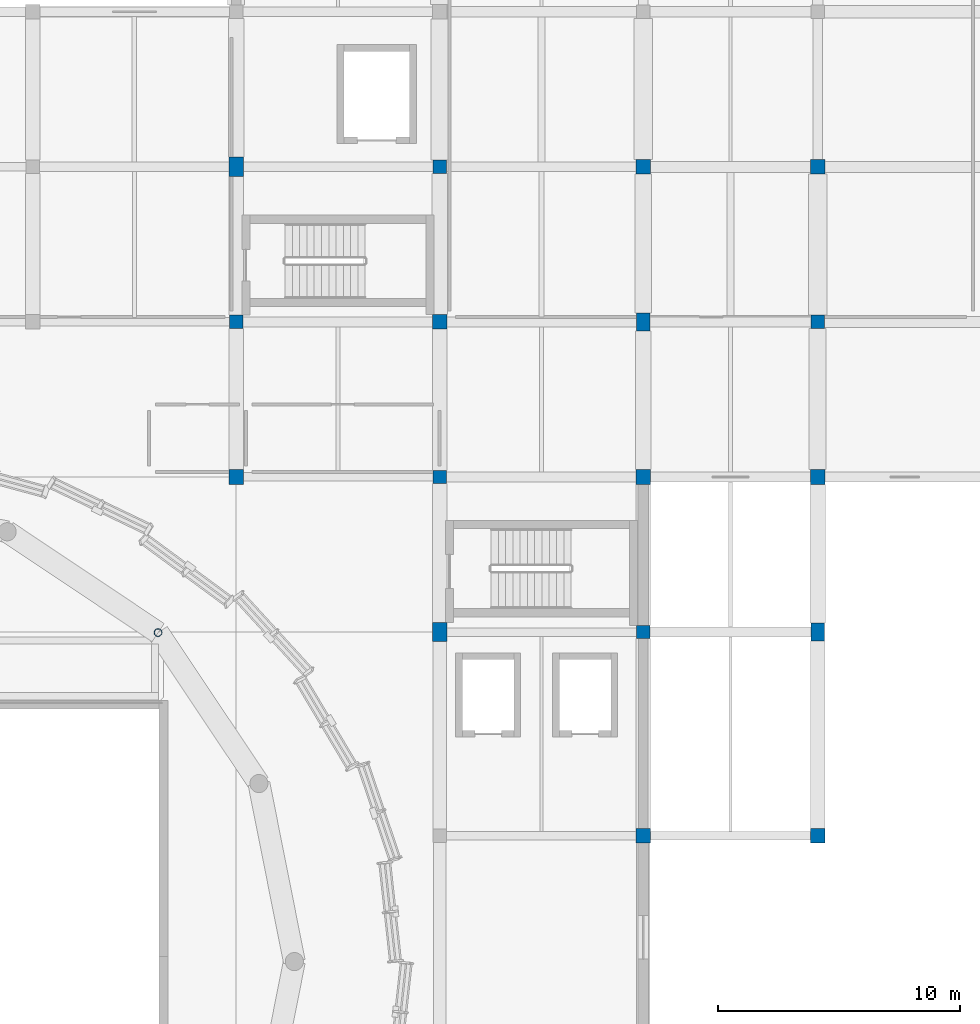
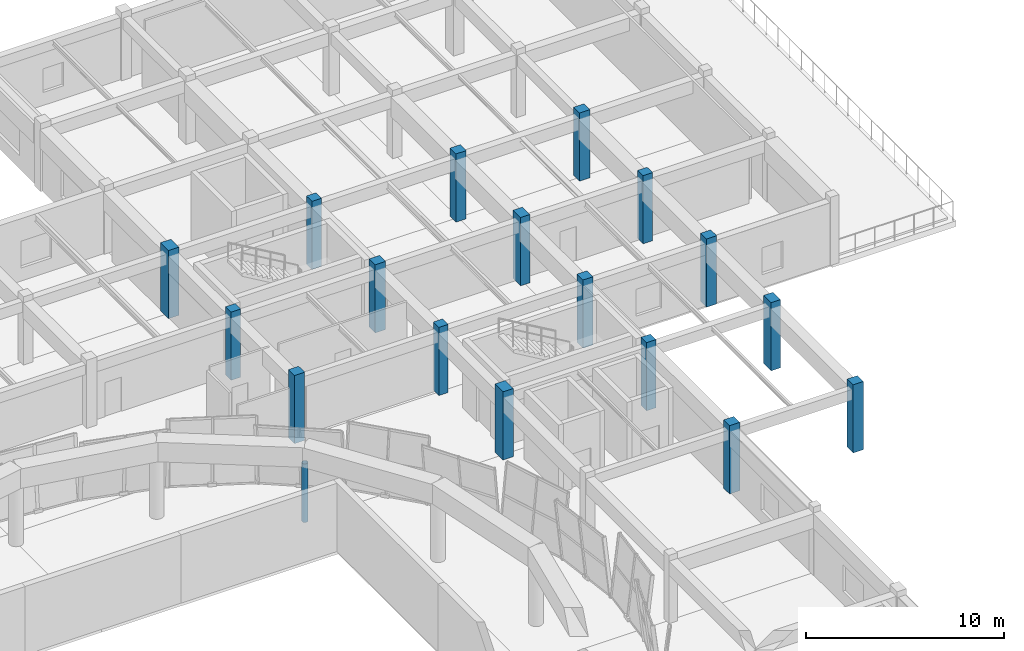
# One storey, part 5 of 40: 18 columns.
"""IFC4 building model written with IfcOpenShell, lengths in metres."""

from ifc_helpers import new_model, si_unit, direction, frame, origin, origin_2d, place, context, subcontext, project, spatial, rectangle, hollow_circle, extrude, material, material_profile, profile_set, type_object, element, save


model = new_model("IFC4")

# Units and contexts
model_context = context("Model", 3, precision=1e-05, world=origin(), true_north=direction((0.0, 1.0)))
body_context = subcontext(model_context, "Body", "Model", "MODEL_VIEW")
ifc_project = project(units=[si_unit("LENGTHUNIT", "METRE"), si_unit("AREAUNIT", "SQUARE_METRE"), si_unit("VOLUMEUNIT", "CUBIC_METRE"), si_unit("PLANEANGLEUNIT", "RADIAN"), si_unit("MASSUNIT", "GRAM", prefix="KILO")], contexts=[model_context])

# Site, building, storey
site_placement = place(None, origin())
site = spatial("IfcSite", under=ifc_project, at=site_placement, CompositionType="ELEMENT")
building_placement = place(site_placement, origin())
building = spatial("IfcBuilding", under=site, at=building_placement, Name="Korsvaeld Concert Hall", CompositionType="ELEMENT")
storey_placement = place(building_placement, frame((0.0, 0.0, 13.199951171875)))
storey = spatial("IfcBuildingStorey", under=building, at=storey_placement, Name="L03", CompositionType="ELEMENT", Elevation=13.199951171875)

# Columns
ifc_material_1 = material(Name="Concrete C40/50", Category="concrete")
ifc_material_profile_1 = material_profile(ifc_material_1, rectangle(XDim=0.550048828125, YDim=0.550048828125, at=origin_2d()), Name="RC 550x550")
ifc_profile_set_1 = profile_set([ifc_material_profile_1], Name="Concrete C40/50")
column_type_1 = type_object("IfcColumnType", Name="COL-RC-550x550", PredefinedType="COLUMN", material=ifc_profile_set_1)
for number, where, z_axis, x_axis, name in (
    (1, (100.800048828125, 89.60009765625, 0.0), (0.0, 0.0, 1.0), (1.0, 0.0, 0.0), "Column 14/N L03"),
    (2, (109.199951171875, 83.199951171875, 0.0), (0.0, 0.0, 1.0), (1.0, 0.0, 0.0), "Column 15/M L03"),
    (3, (109.199951171875, 96.0, 0.0), (0.0, 0.0, 1.0), (1.0, 0.0, 0.0), "Column 15/P L03"),
    (4, (117.60009765625, 76.800048828125, 0.0), (0.0, 0.0, 1.0), (1.0, 0.0, 0.0), "Column 16/L L03"),
    (5, (124.800048828125, 89.60009765625, 0.0), (0.0, 0.0, 1.0), (1.0, 0.0, 0.0), "Column 17/N L03"),
):
    element("IfcColumn", number, at=place(storey_placement, frame(where, z_axis=z_axis, x_axis=x_axis)), inside=storey, type_object=column_type_1, Name=name, PredefinedType="COLUMN", context=body_context, shape_type="SweptSolid", body=[
        extrude(rectangle(XDim=0.550048828125, YDim=0.550048828125, at=origin_2d()), origin(), (0.0, 0.0, 1.0), 4.199951171875),
    ])
ifc_material_profile_2 = material_profile(ifc_material_1, rectangle(XDim=0.550048828125, YDim=0.75, at=origin_2d()), Name="RC 550x750")
ifc_profile_set_2 = profile_set([ifc_material_profile_2], Name="Concrete C40/50")
column_type_2 = type_object("IfcColumnType", Name="COL-RC-550x750", PredefinedType="COLUMN", material=ifc_profile_set_2)
for number, where, z_axis, x_axis, name in (
    (6, (117.60009765625, 89.60009765625, 0.0), (0.0, 0.0, 1.0), (1.0, 0.0, 0.0), "Column 16/N L03"),
    (7, (124.800048828125, 76.800048828125, 0.0), (0.0, 0.0, 1.0), (1.0, 0.0, 0.0), "Column 17/L L03"),
):
    element("IfcColumn", number, at=place(storey_placement, frame(where, z_axis=z_axis, x_axis=x_axis)), inside=storey, type_object=column_type_2, Name=name, PredefinedType="COLUMN", context=body_context, shape_type="SweptSolid", body=[
        extrude(rectangle(XDim=0.550048828125, YDim=0.75, at=origin_2d()), origin(), (0.0, 0.0, 1.0), 4.199951171875),
    ])
ifc_material_profile_3 = material_profile(ifc_material_1, rectangle(XDim=0.60009765625, YDim=0.60009765625, at=origin_2d()), Name="RC 600x600")
ifc_profile_set_3 = profile_set([ifc_material_profile_3], Name="Concrete C40/50")
column_type_3 = type_object("IfcColumnType", Name="COL-RC-600x600", PredefinedType="COLUMN", material=ifc_profile_set_3)
for number, where, z_axis, x_axis, name in (
    (8, (100.800048828125, 83.199951171875, 0.0), (0.0, 0.0, 1.0), (1.0, 0.0, 0.0), "Column 14/M L03"),
    (9, (109.199951171875, 89.60009765625, 0.0), (0.0, 0.0, 1.0), (1.0, 0.0, 0.0), "Column 15/N L03"),
    (10, (117.60009765625, 68.39990234375, 0.0), (0.0, 0.0, 1.0), (1.0, 0.0, 0.0), "Column 16/K L03"),
    (11, (117.60009765625, 83.199951171875, 0.0), (0.0, 0.0, 1.0), (1.0, 0.0, 0.0), "Column 16/M L03"),
    (12, (117.60009765625, 96.0, 0.0), (0.0, 0.0, 1.0), (1.0, 0.0, 0.0), "Column 16/P L03"),
    (13, (124.800048828125, 68.39990234375, 0.0), (0.0, 0.0, 1.0), (1.0, 0.0, 0.0), "Column 17/K L03"),
    (14, (124.800048828125, 83.199951171875, 0.0), (0.0, 0.0, 1.0), (1.0, 0.0, 0.0), "Column 17/M L03"),
    (15, (124.800048828125, 96.0, 0.0), (0.0, 0.0, 1.0), (1.0, 0.0, 0.0), "Column 17/P L03"),
):
    element("IfcColumn", number, at=place(storey_placement, frame(where, z_axis=z_axis, x_axis=x_axis)), inside=storey, type_object=column_type_3, Name=name, PredefinedType="COLUMN", context=body_context, shape_type="SweptSolid", body=[
        extrude(rectangle(XDim=0.60009765625, YDim=0.60009765625, at=origin_2d()), origin(), (0.0, 0.0, 1.0), 4.199951171875),
    ])
ifc_material_profile_4 = material_profile(ifc_material_1, rectangle(XDim=0.60009765625, YDim=0.800048828125, at=origin_2d()), Name="RC 600x800")
ifc_profile_set_4 = profile_set([ifc_material_profile_4], Name="Concrete C40/50")
column_type_4 = type_object("IfcColumnType", Name="COL-RC-600x800", PredefinedType="COLUMN", material=ifc_profile_set_4)
for number, where, z_axis, x_axis, name in (
    (16, (100.800048828125, 96.0, 0.0), (0.0, 0.0, 1.0), (1.0, 0.0, 0.0), "Column 14/P L03"),
    (17, (109.199951171875, 76.800048828125, 0.0), (0.0, 0.0, 1.0), (1.0, 0.0, 0.0), "Column 15/L L03"),
):
    element("IfcColumn", number, at=place(storey_placement, frame(where, z_axis=z_axis, x_axis=x_axis)), inside=storey, type_object=column_type_4, Name=name, PredefinedType="COLUMN", context=body_context, shape_type="SweptSolid", body=[
        extrude(rectangle(XDim=0.60009765625, YDim=0.800048828125, at=origin_2d()), origin(), (0.0, 0.0, 1.0), 4.199951171875),
    ])
ifc_material_2 = material(Name="Steel S355J2", Category="steel")
ifc_material_profile_5 = material_profile(ifc_material_2, hollow_circle(Radius=0.161865234375, WallThickness=0.012451171875, at=origin_2d()), Name="CHS 323.9x12.5")
ifc_profile_set_5 = profile_set([ifc_material_profile_5], Name="Steel S355J2")
column_type_5 = type_object("IfcColumnType", Name="COL-STL-CHS323", PredefinedType="COLUMN", material=ifc_profile_set_5)
column_placement = place(storey_placement, frame((97.576416015625, 76.776611328125, 0.0), z_axis=(0.0, 0.0, 1.0), x_axis=(1.0, 0.0, 0.0)))
element("IfcColumn", 18, at=column_placement, inside=storey, type_object=column_type_5, Name="Drum column D03 L03", PredefinedType="COLUMN", context=body_context, shape_type="SweptSolid", body=[
    extrude(hollow_circle(Radius=0.161865234375, WallThickness=0.012451171875, at=origin_2d()), origin(), (0.0, 0.0, 1.0), 3.60009765625),
])

save(model, "model.ifc")
